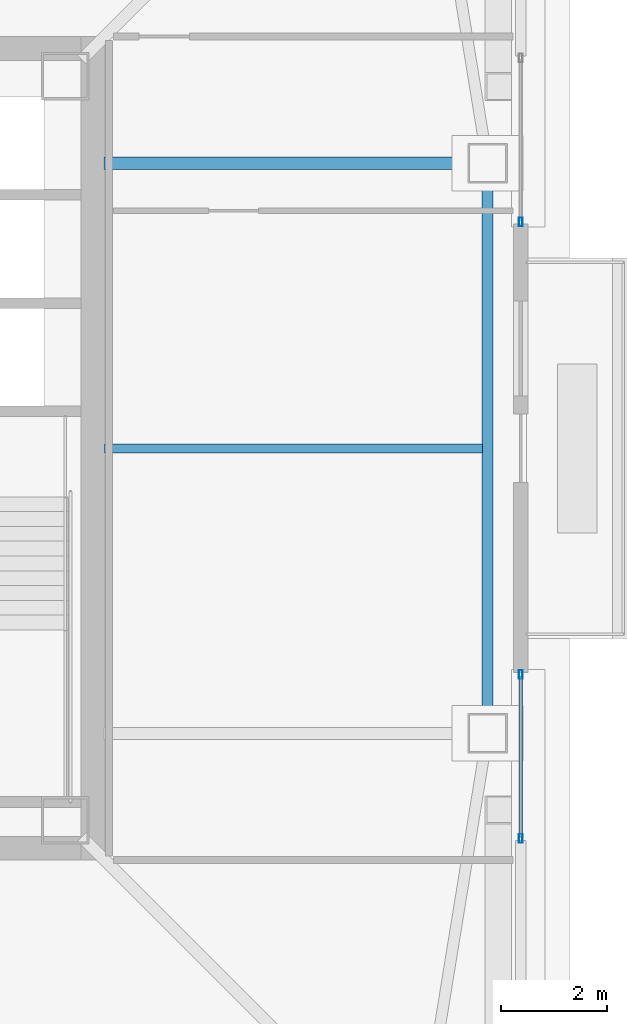
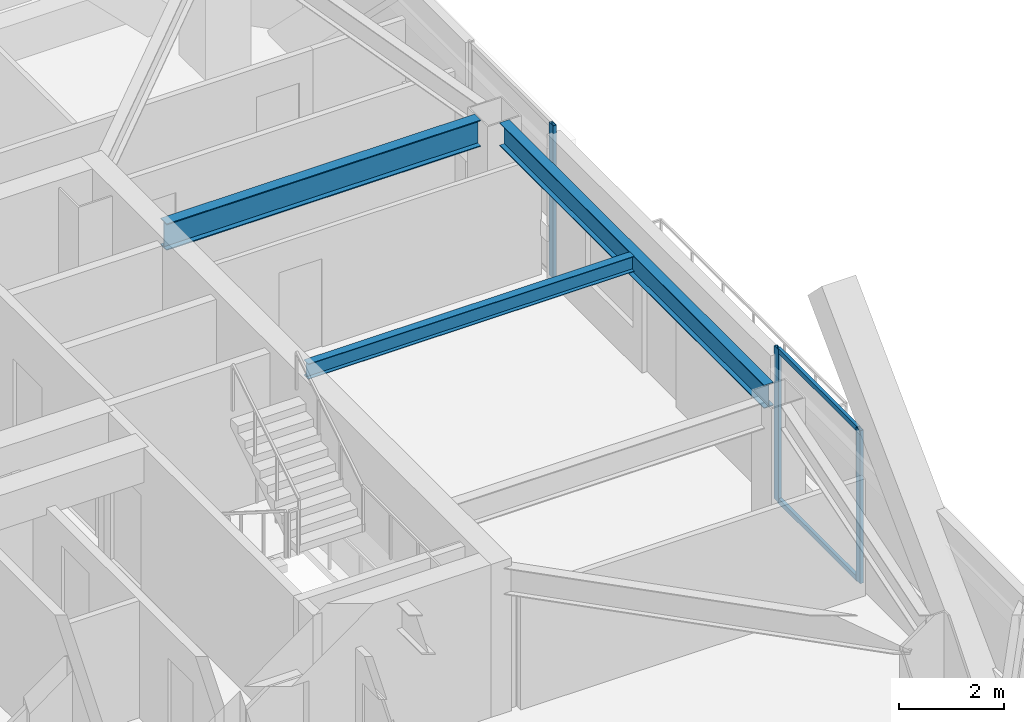
# One storey, part 10 of 39: 5 members, 3 beams, 2 elements without a shape of their own.
"""IFC4 building model written with IfcOpenShell, lengths in metres."""

from ifc_helpers import new_model, si_unit, direction, frame, origin, origin_2d, place, context, subcontext, project, spatial, hollow_rectangle, i_section, extrude, material, material_profile, profile_set, type_object, element, aggregate, save


model = new_model("IFC4")

# Units and contexts
model_context = context("Model", 3, precision=1e-05, world=origin(), true_north=direction((0.0, 1.0)))
body_context = subcontext(model_context, "Body", "Model", "MODEL_VIEW")
ifc_project = project(units=[si_unit("LENGTHUNIT", "METRE"), si_unit("AREAUNIT", "SQUARE_METRE"), si_unit("VOLUMEUNIT", "CUBIC_METRE"), si_unit("PLANEANGLEUNIT", "RADIAN"), si_unit("MASSUNIT", "GRAM", prefix="KILO")], contexts=[model_context])

# Site, building, storey
site_placement = place(None, origin())
site = spatial("IfcSite", under=ifc_project, at=site_placement, CompositionType="ELEMENT")
building_placement = place(site_placement, origin())
building = spatial("IfcBuilding", under=site, at=building_placement, Name="Tashvorn Skyway Center", CompositionType="ELEMENT")
storey_placement = place(building_placement, frame((0.0, 0.0, 232.60009765625)))
storey = spatial("IfcBuildingStorey", under=building, at=storey_placement, Name="L63", CompositionType="ELEMENT", Elevation=232.60009765625)

# Beams
ifc_material_1 = material(Name="Steel ASTM A992 Grade 50", Category="steel")
ifc_material_profile_1 = material_profile(ifc_material_1, i_section(OverallWidth=0.22998046875, OverallDepth=0.616943359375, WebThickness=0.01318359375, FlangeThickness=0.022216796875, at=origin_2d()), Name="W24X94")
ifc_profile_set_1 = profile_set([ifc_material_profile_1], Name="Steel ASTM A992 Grade 50")
beam_type_1 = type_object("IfcBeamType", Name="BM-BEAM-W24X94", PredefinedType="BEAM", material=ifc_profile_set_1)
beam_1_placement = place(storey_placement, frame((56.679931640625, 37.39990234375, 3.0615234375), z_axis=(-1.0, 0.0, 0.0), x_axis=(0.0, -1.0, 0.0)))
element("IfcBeam", 1, at=beam_1_placement, inside=storey, type_object=beam_type_1, Name="Tower 1 L63 Primary Floor Girder FC-E2", PredefinedType="BEAM", context=body_context, shape_type="SweptSolid", body=[
    extrude(i_section(OverallWidth=0.22998046875, OverallDepth=0.616943359375, WebThickness=0.01318359375, FlangeThickness=0.022216796875, at=origin_2d()), origin(), (0.0, 0.0, 1.0), 6.89990234375),
])
ifc_material_profile_2 = material_profile(ifc_material_1, i_section(OverallWidth=0.1708984375, OverallDepth=0.35498046875, WebThickness=0.007080078125, FlangeThickness=0.01171875, at=origin_2d()), Name="W14X34")
ifc_profile_set_2 = profile_set([ifc_material_profile_2], Name="Steel ASTM A992 Grade 50")
beam_type_2 = type_object("IfcBeamType", Name="BM-JOIST-W14X34", PredefinedType="JOIST", material=ifc_profile_set_2)
beam_2_placement = place(storey_placement, frame((49.7900390625, 32.0, 3.1923828125), z_axis=(1.0, 0.0, 0.0), x_axis=(0.0, 1.0, 0.0)))
element("IfcBeam", 2, at=beam_2_placement, inside=storey, type_object=beam_type_2, Name="Tower 1 L63 Secondary Composite Joist JE", PredefinedType="JOIST", context=body_context, shape_type="SweptSolid", body=[
    extrude(i_section(OverallWidth=0.1708984375, OverallDepth=0.35498046875, WebThickness=0.007080078125, FlangeThickness=0.01171875, at=origin_2d()), origin(), (0.0, 0.0, 1.0), 7.162353515625),
])
ifc_material_profile_3 = material_profile(ifc_material_1, i_section(OverallWidth=0.2109375, OverallDepth=0.5390625, WebThickness=0.01171875, FlangeThickness=0.018798828125, at=origin_2d()), Name="W21X73")
ifc_profile_set_3 = profile_set([ifc_material_profile_3], Name="Steel ASTM A992 Grade 50")
beam_type_3 = type_object("IfcBeamType", Name="BM-SPANDREL-W21X73", PredefinedType="SPANDREL", material=ifc_profile_set_3)
beam_3_placement = place(storey_placement, frame((57.050048828125, 26.969970703125, 3.100341796875), z_axis=(0.0, 1.0, 0.0), x_axis=(-1.0, 0.0, 0.0)))
element("IfcBeam", 3, at=beam_3_placement, inside=storey, type_object=beam_type_3, Name="Tower 1 L63 Spandrel Beam 05", PredefinedType="SPANDREL", context=body_context, shape_type="SweptSolid", body=[
    extrude(i_section(OverallWidth=0.2109375, OverallDepth=0.5390625, WebThickness=0.01171875, FlangeThickness=0.018798828125, at=origin_2d()), origin(), (0.0, 0.0, 1.0), 10.06005859375),
])

# Curtain wall, member
ifc_material_2 = material(Name="Thermally broken bronze-anodized aluminium 6063-T6", Category="aluminium")
curtain_wall_type = type_object("IfcCurtainWallType", Name="CW-CW-Z5", PredefinedType="NOTDEFINED", material=ifc_material_2)
curtain_wall_1_placement = place(storey_placement, origin())
curtain_wall_1 = element("IfcCurtainWall", 4, at=curtain_wall_1_placement, inside=storey, type_object=curtain_wall_type, Name="Tower 1 L63 East Curtain Wall L Glazing Group 1", PredefinedType="NOTDEFINED")
ifc_material_profile_4 = material_profile(ifc_material_2, hollow_rectangle(XDim=0.070068359375, YDim=0.1650390625, WallThickness=0.00390625, at=origin_2d()), Name="ALU-MULL-70x165")
ifc_profile_set_4 = profile_set([ifc_material_profile_4], Name="Thermally broken bronze-anodized aluminium 6063-T6")
member_type_1 = type_object("IfcMemberType", Name="CWM-CW-Z5", PredefinedType="MULLION", material=ifc_profile_set_4)
member_1_placement = place(storey_placement, frame((57.679931640625, 36.284912109375, 0.0), z_axis=(0.0, 0.0, 1.0), x_axis=(1.0, 0.0, 0.0)))
member_1 = element("IfcMember", 5, at=member_1_placement, type_object=member_type_1, Name="CW-Z5 mullion 2", PredefinedType="MULLION", context=body_context, shape_type="SweptSolid", body=[
    extrude(hollow_rectangle(XDim=0.070068359375, YDim=0.1650390625, WallThickness=0.00390625, at=origin_2d()), origin(), (0.0, 0.0, 1.0), 3.5498046875),
])
aggregate(curtain_wall_1, [member_1])

# Curtain wall, members
curtain_wall_2_placement = place(storey_placement, origin())
curtain_wall_2 = element("IfcCurtainWall", 6, at=curtain_wall_2_placement, inside=storey, type_object=curtain_wall_type, Name="Tower 1 L63 East Curtain Wall R Glazing Group 1", PredefinedType="NOTDEFINED")
member_2_placement = place(storey_placement, frame((57.679931640625, 27.715087890625, 0.0), z_axis=(0.0, 0.0, 1.0), x_axis=(1.0, 0.0, 0.0)))
member_2 = element("IfcMember", 7, at=member_2_placement, type_object=member_type_1, Name="CW-Z5 mullion 1", PredefinedType="MULLION", context=body_context, shape_type="SweptSolid", body=[
    extrude(hollow_rectangle(XDim=0.070068359375, YDim=0.1650390625, WallThickness=0.00390625, at=origin_2d()), origin(), (0.0, 0.0, 1.0), 3.5498046875),
])
member_3_placement = place(storey_placement, frame((57.679931640625, 24.6083984375, 0.0), z_axis=(0.0, 0.0, 1.0), x_axis=(1.0, 0.0, 0.0)))
member_3 = element("IfcMember", 8, at=member_3_placement, type_object=member_type_1, Name="CW-Z5 mullion 2", PredefinedType="MULLION", context=body_context, shape_type="SweptSolid", body=[
    extrude(hollow_rectangle(XDim=0.070068359375, YDim=0.1650390625, WallThickness=0.00390625, at=origin_2d()), origin(), (0.0, 0.0, 1.0), 3.5498046875),
])
ifc_material_profile_5 = material_profile(ifc_material_2, hollow_rectangle(XDim=0.070068359375, YDim=0.114990234375, WallThickness=0.00390625, at=origin_2d()), Name="ALU-TRAN-70x115")
ifc_profile_set_5 = profile_set([ifc_material_profile_5], Name="Thermally broken bronze-anodized aluminium 6063-T6")
member_type_2 = type_object("IfcMemberType", Name="CWT-CW-Z5", PredefinedType="USERDEFINED", material=ifc_profile_set_5)
member_4_placement = place(storey_placement, frame((57.679931640625, 27.679931640625, 0.034912109375), z_axis=(0.0, -1.0, 0.0), x_axis=(1.0, 0.0, 0.0)))
member_4 = element("IfcMember", 9, at=member_4_placement, type_object=member_type_2, Name="CW-Z5 transom 1.1", ObjectType="TRANSOM", PredefinedType="USERDEFINED", context=body_context, shape_type="SweptSolid", body=[
    extrude(hollow_rectangle(XDim=0.070068359375, YDim=0.114990234375, WallThickness=0.00390625, at=origin_2d()), origin(), (0.0, 0.0, 1.0), 3.03662109375),
])
member_5_placement = place(storey_placement, frame((57.679931640625, 27.679931640625, 3.514892578125), z_axis=(0.0, -1.0, 0.0), x_axis=(1.0, 0.0, 0.0)))
member_5 = element("IfcMember", 10, at=member_5_placement, type_object=member_type_2, Name="CW-Z5 transom 1.2", ObjectType="TRANSOM", PredefinedType="USERDEFINED", context=body_context, shape_type="SweptSolid", body=[
    extrude(hollow_rectangle(XDim=0.070068359375, YDim=0.114990234375, WallThickness=0.00390625, at=origin_2d()), origin(), (0.0, 0.0, 1.0), 3.03662109375),
])
aggregate(curtain_wall_2, [member_2, member_3, member_4, member_5])

save(model, "model.ifc")
